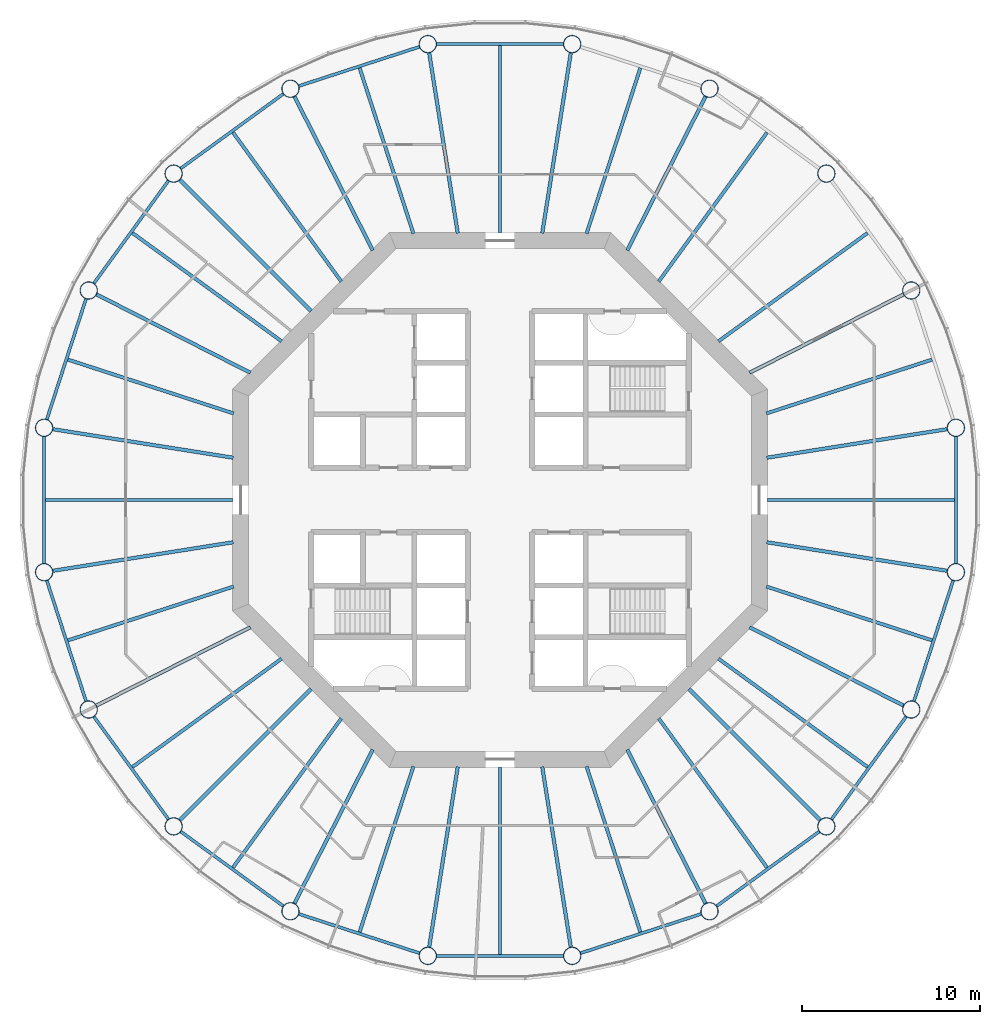
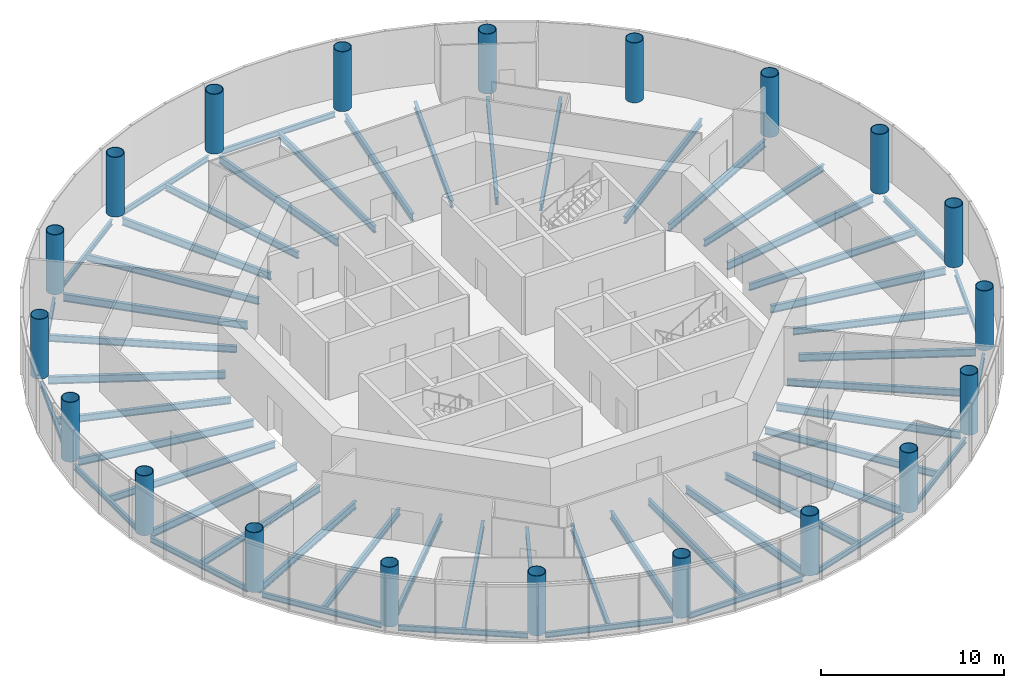
# One storey, part 1 of 12: 55 beams, 20 columns.
"""IFC4 building model written with IfcOpenShell, lengths in metres."""

from ifc_helpers import new_model, si_unit, direction, frame, origin, origin_2d, place, context, subcontext, project, spatial, circle, hollow_circle, i_section, extrude, material, material_profile, profile_set, type_object, element, save


model = new_model("IFC4")

# Units and contexts
model_context = context("Model", 3, precision=1e-05, world=origin(), true_north=direction((0.0, 1.0)))
body_context = subcontext(model_context, "Body", "Model", "MODEL_VIEW")
ifc_project = project(units=[si_unit("LENGTHUNIT", "METRE"), si_unit("AREAUNIT", "SQUARE_METRE"), si_unit("VOLUMEUNIT", "CUBIC_METRE"), si_unit("PLANEANGLEUNIT", "RADIAN"), si_unit("MASSUNIT", "GRAM", prefix="KILO")], contexts=[model_context])

# Site, building, storey
site_placement = place(None, origin())
site = spatial("IfcSite", under=ifc_project, at=site_placement, CompositionType="ELEMENT")
building_placement = place(site_placement, origin())
building = spatial("IfcBuilding", under=site, at=building_placement, Name="Entoto Ring Tower", CompositionType="ELEMENT")
storey_placement = place(building_placement, frame((0.0, 0.0, 254.0)))
storey = spatial("IfcBuildingStorey", under=building, at=storey_placement, Name="L58", CompositionType="ELEMENT", Elevation=254.0)

# Columns
ifc_material_1 = material(Name="Steel S355", Category="steel")
ifc_material_profile_1 = material_profile(ifc_material_1, hollow_circle(Radius=0.5, WallThickness=0.0400390625, at=origin_2d()), Name="CHS 1000 x 40")
ifc_material_2 = material(Name="Concrete C60/75", Category="concrete")
ifc_material_profile_2 = material_profile(ifc_material_2, circle(Radius=0.4599609375, at=origin_2d()), Name="Concrete C60/75 infill")
ifc_profile_set_1 = profile_set([ifc_material_profile_1, ifc_material_profile_2], Name="Steel S355")
column_type = type_object("IfcColumnType", Name="Ring column 1000 x 40 concrete-filled tube", PredefinedType="COLUMN", material=ifc_profile_set_1)
for number, where, z_axis, x_axis, name in (
    (1, (115.5810546875, 84.0517578125, 0.0), (0.0, 0.0, 1.0), (1.0, 0.0, 0.0), "RC4 R01"),
    (2, (113.0771484375, 91.75830078125, 0.0), (0.0, 0.0, 1.0), (1.0, 0.0, 0.0), "RC4 R02"),
    (3, (108.31396484375, 98.31396484375, 0.0), (0.0, 0.0, 1.0), (1.0, 0.0, 0.0), "RC4 R03"),
    (4, (101.75830078125, 103.0771484375, 0.0), (0.0, 0.0, 1.0), (1.0, 0.0, 0.0), "RC4 R04"),
    (5, (94.0517578125, 105.5810546875, 0.0), (0.0, 0.0, 1.0), (1.0, 0.0, 0.0), "RC4 R05"),
    (6, (85.9482421875, 105.5810546875, 0.0), (0.0, 0.0, 1.0), (1.0, 0.0, 0.0), "RC4 R06"),
    (7, (78.24169921875, 103.0771484375, 0.0), (0.0, 0.0, 1.0), (1.0, 0.0, 0.0), "RC4 R07"),
    (8, (71.68603515625, 98.31396484375, 0.0), (0.0, 0.0, 1.0), (1.0, 0.0, 0.0), "RC4 R08"),
    (9, (66.9228515625, 91.75830078125, 0.0), (0.0, 0.0, 1.0), (1.0, 0.0, 0.0), "RC4 R09"),
    (10, (64.4189453125, 84.0517578125, 0.0), (0.0, 0.0, 1.0), (1.0, 0.0, 0.0), "RC4 R10"),
    (11, (64.4189453125, 75.9482421875, 0.0), (0.0, 0.0, 1.0), (1.0, 0.0, 0.0), "RC4 R11"),
    (12, (66.9228515625, 68.24169921875, 0.0), (0.0, 0.0, 1.0), (1.0, 0.0, 0.0), "RC4 R12"),
    (13, (71.68603515625, 61.68603515625, 0.0), (0.0, 0.0, 1.0), (1.0, 0.0, 0.0), "RC4 R13"),
    (14, (78.24169921875, 56.9228515625, 0.0), (0.0, 0.0, 1.0), (1.0, 0.0, 0.0), "RC4 R14"),
    (15, (85.9482421875, 54.4189453125, 0.0), (0.0, 0.0, 1.0), (1.0, 0.0, 0.0), "RC4 R15"),
    (16, (94.0517578125, 54.4189453125, 0.0), (0.0, 0.0, 1.0), (1.0, 0.0, 0.0), "RC4 R16"),
    (17, (101.75830078125, 56.9228515625, 0.0), (0.0, 0.0, 1.0), (1.0, 0.0, 0.0), "RC4 R17"),
    (18, (108.31396484375, 61.68603515625, 0.0), (0.0, 0.0, 1.0), (1.0, 0.0, 0.0), "RC4 R18"),
    (19, (113.0771484375, 68.24169921875, 0.0), (0.0, 0.0, 1.0), (1.0, 0.0, 0.0), "RC4 R19"),
    (20, (115.5810546875, 75.9482421875, 0.0), (0.0, 0.0, 1.0), (1.0, 0.0, 0.0), "RC4 R20"),
):
    element("IfcColumn", number, at=place(storey_placement, frame(where, z_axis=z_axis, x_axis=x_axis)), inside=storey, type_object=column_type, Name=name, PredefinedType="COLUMN", context=body_context, shape_type="SweptSolid", body=[
        extrude(hollow_circle(Radius=0.5, WallThickness=0.0400390625, at=origin_2d()), origin(), (0.0, 0.0, 1.0), 4.0),
    ])

# Beams
ifc_material_3 = material(Name="Steel S355", Category="steel")
ifc_material_profile_3 = material_profile(ifc_material_3, i_section(OverallWidth=0.169921875, OverallDepth=0.360107421875, WebThickness=0.008056640625, FlangeThickness=0.0126953125, FilletRadius=0.01806640625, at=origin_2d()), Name="IPE 360")
ifc_profile_set_2 = profile_set([ifc_material_profile_3], Name="Steel S355")
beam_type_1 = type_object("IfcBeamType", Name="Edge beam IPE 360", PredefinedType="SPANDREL", material=ifc_profile_set_2)
beam_1_placement = place(storey_placement, frame((93.5791015625, 105.5810546875, -0.330078125), z_axis=(-1.0, 0.0, 0.0), x_axis=(0.0, -1.0, 0.0)))
element("IfcBeam", 21, at=beam_1_placement, inside=storey, type_object=beam_type_1, Name="Edge beam L58 05", PredefinedType="SPANDREL", context=body_context, shape_type="SweptSolid", body=[
    extrude(i_section(OverallWidth=0.169921875, OverallDepth=0.360107421875, WebThickness=0.008056640625, FlangeThickness=0.0126953125, FilletRadius=0.01806640625, at=origin_2d()), origin(), (0.0, 0.0, 1.0), 7.158203125),
])
beam_2_placement = place(storey_placement, frame((85.498779296875, 105.43505859375, -0.330078125), z_axis=(-0.951057125849, -0.309015118354, 0.0), x_axis=(0.309015118354, -0.951057125849, 0.0)))
element("IfcBeam", 22, at=beam_2_placement, inside=storey, type_object=beam_type_1, Name="Edge beam L58 06", PredefinedType="SPANDREL", context=body_context, shape_type="SweptSolid", body=[
    extrude(i_section(OverallWidth=0.169921875, OverallDepth=0.360107421875, WebThickness=0.008056640625, FlangeThickness=0.0126953125, FilletRadius=0.01806640625, at=origin_2d()), origin(), (0.0, 0.0, 1.0), 7.157958984375),
])
for number, where, z_axis, x_axis, name in (
    (23, (77.859375, 102.79931640625, -0.330078125), (-0.809010324619, -0.587794432314, 0.0), (0.587794432314, -0.809010324619, 0.0), "Edge beam L58 07"),
    (24, (71.408203125, 97.931640625, -0.330078125), (-0.587794432314, -0.809010324619, 0.0), (0.809010324619, -0.587794432314, 0.0), "Edge beam L58 08"),
):
    element("IfcBeam", number, at=place(storey_placement, frame(where, z_axis=z_axis, x_axis=x_axis)), inside=storey, type_object=beam_type_1, Name=name, PredefinedType="SPANDREL", context=body_context, shape_type="SweptSolid", body=[
        extrude(i_section(OverallWidth=0.169921875, OverallDepth=0.360107421875, WebThickness=0.008056640625, FlangeThickness=0.0126953125, FilletRadius=0.01806640625, at=origin_2d()), origin(), (0.0, 0.0, 1.0), 7.158203125),
    ])
beam_3_placement = place(storey_placement, frame((66.77685546875, 91.308837890625, -0.330078125), z_axis=(-0.309015118354, -0.951057125849, 0.0), x_axis=(0.951057125849, -0.309015118354, 0.0)))
element("IfcBeam", 25, at=beam_3_placement, inside=storey, type_object=beam_type_1, Name="Edge beam L58 09", PredefinedType="SPANDREL", context=body_context, shape_type="SweptSolid", body=[
    extrude(i_section(OverallWidth=0.169921875, OverallDepth=0.360107421875, WebThickness=0.008056640625, FlangeThickness=0.0126953125, FilletRadius=0.01806640625, at=origin_2d()), origin(), (0.0, 0.0, 1.0), 7.157958984375),
])
beam_4_placement = place(storey_placement, frame((64.4189453125, 83.5791015625, -0.330078125), z_axis=(0.0, -1.0, 0.0), x_axis=(1.0, 0.0, 0.0)))
element("IfcBeam", 26, at=beam_4_placement, inside=storey, type_object=beam_type_1, Name="Edge beam L58 10", PredefinedType="SPANDREL", context=body_context, shape_type="SweptSolid", body=[
    extrude(i_section(OverallWidth=0.169921875, OverallDepth=0.360107421875, WebThickness=0.008056640625, FlangeThickness=0.0126953125, FilletRadius=0.01806640625, at=origin_2d()), origin(), (0.0, 0.0, 1.0), 7.158203125),
])
beam_5_placement = place(storey_placement, frame((64.56494140625, 75.498779296875, -0.330078125), z_axis=(0.309015118354, -0.951057125849, 0.0), x_axis=(0.951057125849, 0.309015118354, 0.0)))
element("IfcBeam", 27, at=beam_5_placement, inside=storey, type_object=beam_type_1, Name="Edge beam L58 11", PredefinedType="SPANDREL", context=body_context, shape_type="SweptSolid", body=[
    extrude(i_section(OverallWidth=0.169921875, OverallDepth=0.360107421875, WebThickness=0.008056640625, FlangeThickness=0.0126953125, FilletRadius=0.01806640625, at=origin_2d()), origin(), (0.0, 0.0, 1.0), 7.157958984375),
])
for number, where, z_axis, x_axis, name in (
    (28, (67.20068359375, 67.859375, -0.330078125), (0.587794432314, -0.809010324619, 0.0), (0.809010324619, 0.587794432314, 0.0), "Edge beam L58 12"),
    (29, (72.068359375, 61.408203125, -0.330078125), (0.809010324619, -0.587794432314, 0.0), (0.587794432314, 0.809010324619, 0.0), "Edge beam L58 13"),
):
    element("IfcBeam", number, at=place(storey_placement, frame(where, z_axis=z_axis, x_axis=x_axis)), inside=storey, type_object=beam_type_1, Name=name, PredefinedType="SPANDREL", context=body_context, shape_type="SweptSolid", body=[
        extrude(i_section(OverallWidth=0.169921875, OverallDepth=0.360107421875, WebThickness=0.008056640625, FlangeThickness=0.0126953125, FilletRadius=0.01806640625, at=origin_2d()), origin(), (0.0, 0.0, 1.0), 7.158203125),
    ])
beam_6_placement = place(storey_placement, frame((78.691162109375, 56.77685546875, -0.330078125), z_axis=(0.951057125849, -0.309015118354, 0.0), x_axis=(0.309015118354, 0.951057125849, 0.0)))
element("IfcBeam", 30, at=beam_6_placement, inside=storey, type_object=beam_type_1, Name="Edge beam L58 14", PredefinedType="SPANDREL", context=body_context, shape_type="SweptSolid", body=[
    extrude(i_section(OverallWidth=0.169921875, OverallDepth=0.360107421875, WebThickness=0.008056640625, FlangeThickness=0.0126953125, FilletRadius=0.01806640625, at=origin_2d()), origin(), (0.0, 0.0, 1.0), 7.157958984375),
])
beam_7_placement = place(storey_placement, frame((86.4208984375, 54.4189453125, -0.330078125), z_axis=(1.0, 0.0, 0.0), x_axis=(0.0, 1.0, 0.0)))
element("IfcBeam", 31, at=beam_7_placement, inside=storey, type_object=beam_type_1, Name="Edge beam L58 15", PredefinedType="SPANDREL", context=body_context, shape_type="SweptSolid", body=[
    extrude(i_section(OverallWidth=0.169921875, OverallDepth=0.360107421875, WebThickness=0.008056640625, FlangeThickness=0.0126953125, FilletRadius=0.01806640625, at=origin_2d()), origin(), (0.0, 0.0, 1.0), 7.158203125),
])
beam_8_placement = place(storey_placement, frame((94.501220703125, 54.56494140625, -0.330078125), z_axis=(0.951057125849, 0.309015118354, 0.0), x_axis=(-0.309015118354, 0.951057125849, 0.0)))
element("IfcBeam", 32, at=beam_8_placement, inside=storey, type_object=beam_type_1, Name="Edge beam L58 16", PredefinedType="SPANDREL", context=body_context, shape_type="SweptSolid", body=[
    extrude(i_section(OverallWidth=0.169921875, OverallDepth=0.360107421875, WebThickness=0.008056640625, FlangeThickness=0.0126953125, FilletRadius=0.01806640625, at=origin_2d()), origin(), (0.0, 0.0, 1.0), 7.157958984375),
])
for number, where, z_axis, x_axis, name in (
    (33, (102.140625, 57.20068359375, -0.330078125), (0.809010324619, 0.587794432314, 0.0), (-0.587794432314, 0.809010324619, 0.0), "Edge beam L58 17"),
    (34, (108.591796875, 62.068359375, -0.330078125), (0.587794432314, 0.809010324619, 0.0), (-0.809010324619, 0.587794432314, 0.0), "Edge beam L58 18"),
):
    element("IfcBeam", number, at=place(storey_placement, frame(where, z_axis=z_axis, x_axis=x_axis)), inside=storey, type_object=beam_type_1, Name=name, PredefinedType="SPANDREL", context=body_context, shape_type="SweptSolid", body=[
        extrude(i_section(OverallWidth=0.169921875, OverallDepth=0.360107421875, WebThickness=0.008056640625, FlangeThickness=0.0126953125, FilletRadius=0.01806640625, at=origin_2d()), origin(), (0.0, 0.0, 1.0), 7.158203125),
    ])
beam_9_placement = place(storey_placement, frame((113.22314453125, 68.691162109375, -0.330078125), z_axis=(0.309015118354, 0.951057125849, 0.0), x_axis=(-0.951057125849, 0.309015118354, 0.0)))
element("IfcBeam", 35, at=beam_9_placement, inside=storey, type_object=beam_type_1, Name="Edge beam L58 19", PredefinedType="SPANDREL", context=body_context, shape_type="SweptSolid", body=[
    extrude(i_section(OverallWidth=0.169921875, OverallDepth=0.360107421875, WebThickness=0.008056640625, FlangeThickness=0.0126953125, FilletRadius=0.01806640625, at=origin_2d()), origin(), (0.0, 0.0, 1.0), 7.157958984375),
])
beam_10_placement = place(storey_placement, frame((115.5810546875, 76.4208984375, -0.330078125), z_axis=(0.0, 1.0, 0.0), x_axis=(-1.0, 0.0, 0.0)))
element("IfcBeam", 36, at=beam_10_placement, inside=storey, type_object=beam_type_1, Name="Edge beam L58 20", PredefinedType="SPANDREL", context=body_context, shape_type="SweptSolid", body=[
    extrude(i_section(OverallWidth=0.169921875, OverallDepth=0.360107421875, WebThickness=0.008056640625, FlangeThickness=0.0126953125, FilletRadius=0.01806640625, at=origin_2d()), origin(), (0.0, 0.0, 1.0), 7.158203125),
])
ifc_material_4 = material(Name="Steel S355", Category="steel")
ifc_material_profile_4 = material_profile(ifc_material_4, i_section(OverallWidth=0.199951171875, OverallDepth=0.5, WebThickness=0.01025390625, FlangeThickness=0.01611328125, FilletRadius=0.02099609375, at=origin_2d()), Name="IPE 500")
ifc_profile_set_3 = profile_set([ifc_material_profile_4], Name="Steel S355")
beam_type_2 = type_object("IfcBeamType", Name="Primary floor beam IPE 500", PredefinedType="BEAM", material=ifc_profile_set_3)
beam_11_placement = place(storey_placement, frame((104.964599609375, 82.3701171875, -0.39990234375), z_axis=(0.987685619518, 0.156451644281, 0.0), x_axis=(-0.156451644281, 0.987685619518, 0.0)))
element("IfcBeam", 37, at=beam_11_placement, inside=storey, type_object=beam_type_2, Name="Primary L58 R01", PredefinedType="BEAM", context=body_context, shape_type="SweptSolid", body=[
    extrude(i_section(OverallWidth=0.199951171875, OverallDepth=0.5, WebThickness=0.01025390625, FlangeThickness=0.01611328125, FilletRadius=0.02099609375, at=origin_2d()), origin(), (0.0, 0.0, 1.0), 10.27880859375),
])
for number, where, z_axis, x_axis, name in (
    (38, (104.006103515625, 87.136474609375, -0.39990234375), (0.891012442297, 0.45397888461, 0.0), (-0.45397888461, 0.891012442297, 0.0), "Primary L58 R02"),
    (39, (97.136474609375, 94.006103515625, -0.39990234375), (0.45397888461, 0.891012442297, 0.0), (-0.891012442297, 0.45397888461, 0.0), "Primary L58 R04"),
):
    element("IfcBeam", number, at=place(storey_placement, frame(where, z_axis=z_axis, x_axis=x_axis)), inside=storey, type_object=beam_type_2, Name=name, PredefinedType="BEAM", context=body_context, shape_type="SweptSolid", body=[
        extrude(i_section(OverallWidth=0.199951171875, OverallDepth=0.5, WebThickness=0.01025390625, FlangeThickness=0.01611328125, FilletRadius=0.02099609375, at=origin_2d()), origin(), (0.0, 0.0, 1.0), 9.710693359375),
    ])
for number, where, z_axis, x_axis, name in (
    (40, (92.3701171875, 94.964599609375, -0.39990234375), (0.156451644281, 0.987685619518, 0.0), (-0.987685619518, 0.156451644281, 0.0), "Primary L58 R05"),
    (41, (87.6298828125, 94.964599609375, -0.39990234375), (-0.156451644281, 0.987685619518, 0.0), (-0.987685619518, -0.156451644281, 0.0), "Primary L58 R06"),
):
    element("IfcBeam", number, at=place(storey_placement, frame(where, z_axis=z_axis, x_axis=x_axis)), inside=storey, type_object=beam_type_2, Name=name, PredefinedType="BEAM", context=body_context, shape_type="SweptSolid", body=[
        extrude(i_section(OverallWidth=0.199951171875, OverallDepth=0.5, WebThickness=0.01025390625, FlangeThickness=0.01611328125, FilletRadius=0.02099609375, at=origin_2d()), origin(), (0.0, 0.0, 1.0), 10.27880859375),
    ])
beam_12_placement = place(storey_placement, frame((82.863525390625, 94.006103515625, -0.39990234375), z_axis=(-0.45397888461, 0.891012442297, 0.0), x_axis=(-0.891012442297, -0.45397888461, 0.0)))
element("IfcBeam", 42, at=beam_12_placement, inside=storey, type_object=beam_type_2, Name="Primary L58 R07", PredefinedType="BEAM", context=body_context, shape_type="SweptSolid", body=[
    extrude(i_section(OverallWidth=0.199951171875, OverallDepth=0.5, WebThickness=0.01025390625, FlangeThickness=0.01611328125, FilletRadius=0.02099609375, at=origin_2d()), origin(), (0.0, 0.0, 1.0), 9.710693359375),
])
beam_13_placement = place(storey_placement, frame((79.407470703125, 90.592529296875, -0.39990234375), z_axis=(-0.707106781187, 0.707106781187, 0.0), x_axis=(-0.707106781187, -0.707106781187, 0.0)))
element("IfcBeam", 43, at=beam_13_placement, inside=storey, type_object=beam_type_2, Name="Primary L58 R08", PredefinedType="BEAM", context=body_context, shape_type="SweptSolid", body=[
    extrude(i_section(OverallWidth=0.199951171875, OverallDepth=0.5, WebThickness=0.01025390625, FlangeThickness=0.01611328125, FilletRadius=0.02099609375, at=origin_2d()), origin(), (0.0, 0.0, 1.0), 10.4501953125),
])
beam_14_placement = place(storey_placement, frame((75.993896484375, 87.136474609375, -0.39990234375), z_axis=(-0.891012442297, 0.45397888461, 0.0), x_axis=(-0.45397888461, -0.891012442297, 0.0)))
element("IfcBeam", 44, at=beam_14_placement, inside=storey, type_object=beam_type_2, Name="Primary L58 R09", PredefinedType="BEAM", context=body_context, shape_type="SweptSolid", body=[
    extrude(i_section(OverallWidth=0.199951171875, OverallDepth=0.5, WebThickness=0.01025390625, FlangeThickness=0.01611328125, FilletRadius=0.02099609375, at=origin_2d()), origin(), (0.0, 0.0, 1.0), 9.710693359375),
])
for number, where, z_axis, x_axis, name in (
    (45, (75.035400390625, 82.3701171875, -0.39990234375), (-0.987685619518, 0.156451644281, 0.0), (-0.156451644281, -0.987685619518, 0.0), "Primary L58 R10"),
    (46, (75.035400390625, 77.6298828125, -0.39990234375), (-0.987685619518, -0.156451644281, 0.0), (0.156451644281, -0.987685619518, 0.0), "Primary L58 R11"),
):
    element("IfcBeam", number, at=place(storey_placement, frame(where, z_axis=z_axis, x_axis=x_axis)), inside=storey, type_object=beam_type_2, Name=name, PredefinedType="BEAM", context=body_context, shape_type="SweptSolid", body=[
        extrude(i_section(OverallWidth=0.199951171875, OverallDepth=0.5, WebThickness=0.01025390625, FlangeThickness=0.01611328125, FilletRadius=0.02099609375, at=origin_2d()), origin(), (0.0, 0.0, 1.0), 10.27880859375),
    ])
beam_15_placement = place(storey_placement, frame((75.993896484375, 72.863525390625, -0.39990234375), z_axis=(-0.891012442297, -0.45397888461, 0.0), x_axis=(0.45397888461, -0.891012442297, 0.0)))
element("IfcBeam", 47, at=beam_15_placement, inside=storey, type_object=beam_type_2, Name="Primary L58 R12", PredefinedType="BEAM", context=body_context, shape_type="SweptSolid", body=[
    extrude(i_section(OverallWidth=0.199951171875, OverallDepth=0.5, WebThickness=0.01025390625, FlangeThickness=0.01611328125, FilletRadius=0.02099609375, at=origin_2d()), origin(), (0.0, 0.0, 1.0), 9.710693359375),
])
beam_16_placement = place(storey_placement, frame((79.407470703125, 69.407470703125, -0.39990234375), z_axis=(-0.707106781187, -0.707106781187, 0.0), x_axis=(0.707106781187, -0.707106781187, 0.0)))
element("IfcBeam", 48, at=beam_16_placement, inside=storey, type_object=beam_type_2, Name="Primary L58 R13", PredefinedType="BEAM", context=body_context, shape_type="SweptSolid", body=[
    extrude(i_section(OverallWidth=0.199951171875, OverallDepth=0.5, WebThickness=0.01025390625, FlangeThickness=0.01611328125, FilletRadius=0.02099609375, at=origin_2d()), origin(), (0.0, 0.0, 1.0), 10.4501953125),
])
beam_17_placement = place(storey_placement, frame((82.863525390625, 65.993896484375, -0.39990234375), z_axis=(-0.45397888461, -0.891012442297, 0.0), x_axis=(0.891012442297, -0.45397888461, 0.0)))
element("IfcBeam", 49, at=beam_17_placement, inside=storey, type_object=beam_type_2, Name="Primary L58 R14", PredefinedType="BEAM", context=body_context, shape_type="SweptSolid", body=[
    extrude(i_section(OverallWidth=0.199951171875, OverallDepth=0.5, WebThickness=0.01025390625, FlangeThickness=0.01611328125, FilletRadius=0.02099609375, at=origin_2d()), origin(), (0.0, 0.0, 1.0), 9.710693359375),
])
for number, where, z_axis, x_axis, name in (
    (50, (87.6298828125, 65.035400390625, -0.39990234375), (-0.156451644281, -0.987685619518, 0.0), (0.987685619518, -0.156451644281, 0.0), "Primary L58 R15"),
    (51, (92.3701171875, 65.035400390625, -0.39990234375), (0.156451644281, -0.987685619518, 0.0), (0.987685619518, 0.156451644281, 0.0), "Primary L58 R16"),
):
    element("IfcBeam", number, at=place(storey_placement, frame(where, z_axis=z_axis, x_axis=x_axis)), inside=storey, type_object=beam_type_2, Name=name, PredefinedType="BEAM", context=body_context, shape_type="SweptSolid", body=[
        extrude(i_section(OverallWidth=0.199951171875, OverallDepth=0.5, WebThickness=0.01025390625, FlangeThickness=0.01611328125, FilletRadius=0.02099609375, at=origin_2d()), origin(), (0.0, 0.0, 1.0), 10.27880859375),
    ])
beam_18_placement = place(storey_placement, frame((97.136474609375, 65.993896484375, -0.39990234375), z_axis=(0.45397888461, -0.891012442297, 0.0), x_axis=(0.891012442297, 0.45397888461, 0.0)))
element("IfcBeam", 52, at=beam_18_placement, inside=storey, type_object=beam_type_2, Name="Primary L58 R17", PredefinedType="BEAM", context=body_context, shape_type="SweptSolid", body=[
    extrude(i_section(OverallWidth=0.199951171875, OverallDepth=0.5, WebThickness=0.01025390625, FlangeThickness=0.01611328125, FilletRadius=0.02099609375, at=origin_2d()), origin(), (0.0, 0.0, 1.0), 9.710693359375),
])
beam_19_placement = place(storey_placement, frame((100.592529296875, 69.407470703125, -0.39990234375), z_axis=(0.707106781187, -0.707106781187, 0.0), x_axis=(0.707106781187, 0.707106781187, 0.0)))
element("IfcBeam", 53, at=beam_19_placement, inside=storey, type_object=beam_type_2, Name="Primary L58 R18", PredefinedType="BEAM", context=body_context, shape_type="SweptSolid", body=[
    extrude(i_section(OverallWidth=0.199951171875, OverallDepth=0.5, WebThickness=0.01025390625, FlangeThickness=0.01611328125, FilletRadius=0.02099609375, at=origin_2d()), origin(), (0.0, 0.0, 1.0), 10.4501953125),
])
beam_20_placement = place(storey_placement, frame((104.006103515625, 72.863525390625, -0.39990234375), z_axis=(0.891012442297, -0.45397888461, 0.0), x_axis=(0.45397888461, 0.891012442297, 0.0)))
element("IfcBeam", 54, at=beam_20_placement, inside=storey, type_object=beam_type_2, Name="Primary L58 R19", PredefinedType="BEAM", context=body_context, shape_type="SweptSolid", body=[
    extrude(i_section(OverallWidth=0.199951171875, OverallDepth=0.5, WebThickness=0.01025390625, FlangeThickness=0.01611328125, FilletRadius=0.02099609375, at=origin_2d()), origin(), (0.0, 0.0, 1.0), 9.710693359375),
])
beam_21_placement = place(storey_placement, frame((104.964599609375, 77.6298828125, -0.39990234375), z_axis=(0.987685619518, -0.156451644281, 0.0), x_axis=(0.156451644281, 0.987685619518, 0.0)))
element("IfcBeam", 55, at=beam_21_placement, inside=storey, type_object=beam_type_2, Name="Primary L58 R20", PredefinedType="BEAM", context=body_context, shape_type="SweptSolid", body=[
    extrude(i_section(OverallWidth=0.199951171875, OverallDepth=0.5, WebThickness=0.01025390625, FlangeThickness=0.01611328125, FilletRadius=0.02099609375, at=origin_2d()), origin(), (0.0, 0.0, 1.0), 10.27880859375),
])
ifc_material_5 = material(Name="Steel S355", Category="steel")
ifc_material_profile_5 = material_profile(ifc_material_5, i_section(OverallWidth=0.18994140625, OverallDepth=0.449951171875, WebThickness=0.009521484375, FlangeThickness=0.0146484375, FilletRadius=0.02099609375, at=origin_2d()), Name="IPE 450")
ifc_profile_set_4 = profile_set([ifc_material_profile_5], Name="Steel S355")
beam_type_3 = type_object("IfcBeamType", Name="Secondary floor beam IPE 450", PredefinedType="JOIST", material=ifc_profile_set_4)
beam_22_placement = place(storey_placement, frame((104.95166015625, 84.858154296875, -0.375), z_axis=(0.951061045963, 0.309003053144, 0.0), x_axis=(-0.309003053144, 0.951061045963, 0.0)))
element("IfcBeam", 56, at=beam_22_placement, inside=storey, type_object=beam_type_3, Name="Secondary beam L58 01", PredefinedType="JOIST", context=body_context, shape_type="SweptSolid", body=[
    extrude(i_section(OverallWidth=0.18994140625, OverallDepth=0.449951171875, WebThickness=0.009521484375, FlangeThickness=0.0146484375, FilletRadius=0.02099609375, at=origin_2d()), origin(), (0.0, 0.0, 1.0), 9.77490234375),
])
for number, where, z_axis, x_axis, name in (
    (57, (102.258056640625, 88.906005859375, -0.375), (0.809010538485, 0.58779413796, 0.0), (-0.58779413796, 0.809010538485, 0.0), "Secondary beam L58 02"),
    (58, (98.906005859375, 92.258056640625, -0.375), (0.58779413796, 0.809010538485, 0.0), (-0.809010538485, 0.58779413796, 0.0), "Secondary beam L58 03"),
):
    element("IfcBeam", number, at=place(storey_placement, frame(where, z_axis=z_axis, x_axis=x_axis)), inside=storey, type_object=beam_type_3, Name=name, PredefinedType="JOIST", context=body_context, shape_type="SweptSolid", body=[
        extrude(i_section(OverallWidth=0.18994140625, OverallDepth=0.449951171875, WebThickness=0.009521484375, FlangeThickness=0.0146484375, FilletRadius=0.02099609375, at=origin_2d()), origin(), (0.0, 0.0, 1.0), 10.34423828125),
    ])
beam_23_placement = place(storey_placement, frame((94.858154296875, 94.95166015625, -0.375), z_axis=(0.309003053144, 0.951061045963, 0.0), x_axis=(-0.951061045963, 0.309003053144, 0.0)))
element("IfcBeam", 59, at=beam_23_placement, inside=storey, type_object=beam_type_3, Name="Secondary beam L58 04", PredefinedType="JOIST", context=body_context, shape_type="SweptSolid", body=[
    extrude(i_section(OverallWidth=0.18994140625, OverallDepth=0.449951171875, WebThickness=0.009521484375, FlangeThickness=0.0146484375, FilletRadius=0.02099609375, at=origin_2d()), origin(), (0.0, 0.0, 1.0), 9.77490234375),
])
beam_24_placement = place(storey_placement, frame((90.0, 94.97998046875, -0.375), z_axis=(0.0, 1.0, 0.0), x_axis=(-1.0, 0.0, 0.0)))
element("IfcBeam", 60, at=beam_24_placement, inside=storey, type_object=beam_type_3, Name="Secondary beam L58 05", PredefinedType="JOIST", context=body_context, shape_type="SweptSolid", body=[
    extrude(i_section(OverallWidth=0.18994140625, OverallDepth=0.449951171875, WebThickness=0.009521484375, FlangeThickness=0.0146484375, FilletRadius=0.02099609375, at=origin_2d()), origin(), (0.0, 0.0, 1.0), 10.51611328125),
])
beam_25_placement = place(storey_placement, frame((85.141845703125, 94.95166015625, -0.375), z_axis=(-0.309003053144, 0.951061045963, 0.0), x_axis=(-0.951061045963, -0.309003053144, 0.0)))
element("IfcBeam", 61, at=beam_25_placement, inside=storey, type_object=beam_type_3, Name="Secondary beam L58 06", PredefinedType="JOIST", context=body_context, shape_type="SweptSolid", body=[
    extrude(i_section(OverallWidth=0.18994140625, OverallDepth=0.449951171875, WebThickness=0.009521484375, FlangeThickness=0.0146484375, FilletRadius=0.02099609375, at=origin_2d()), origin(), (0.0, 0.0, 1.0), 9.77490234375),
])
for number, where, z_axis, x_axis, name in (
    (62, (81.093994140625, 92.258056640625, -0.375), (-0.58779413796, 0.809010538485, 0.0), (-0.809010538485, -0.58779413796, 0.0), "Secondary beam L58 07"),
    (63, (77.741943359375, 88.906005859375, -0.375), (-0.809010538485, 0.58779413796, 0.0), (-0.58779413796, -0.809010538485, 0.0), "Secondary beam L58 08"),
):
    element("IfcBeam", number, at=place(storey_placement, frame(where, z_axis=z_axis, x_axis=x_axis)), inside=storey, type_object=beam_type_3, Name=name, PredefinedType="JOIST", context=body_context, shape_type="SweptSolid", body=[
        extrude(i_section(OverallWidth=0.18994140625, OverallDepth=0.449951171875, WebThickness=0.009521484375, FlangeThickness=0.0146484375, FilletRadius=0.02099609375, at=origin_2d()), origin(), (0.0, 0.0, 1.0), 10.34423828125),
    ])
beam_26_placement = place(storey_placement, frame((75.04833984375, 84.858154296875, -0.375), z_axis=(-0.951061045963, 0.309003053144, 0.0), x_axis=(-0.309003053144, -0.951061045963, 0.0)))
element("IfcBeam", 64, at=beam_26_placement, inside=storey, type_object=beam_type_3, Name="Secondary beam L58 09", PredefinedType="JOIST", context=body_context, shape_type="SweptSolid", body=[
    extrude(i_section(OverallWidth=0.18994140625, OverallDepth=0.449951171875, WebThickness=0.009521484375, FlangeThickness=0.0146484375, FilletRadius=0.02099609375, at=origin_2d()), origin(), (0.0, 0.0, 1.0), 9.77490234375),
])
beam_27_placement = place(storey_placement, frame((75.02001953125, 80.0, -0.375), z_axis=(-1.0, 0.0, 0.0), x_axis=(0.0, -1.0, 0.0)))
element("IfcBeam", 65, at=beam_27_placement, inside=storey, type_object=beam_type_3, Name="Secondary beam L58 10", PredefinedType="JOIST", context=body_context, shape_type="SweptSolid", body=[
    extrude(i_section(OverallWidth=0.18994140625, OverallDepth=0.449951171875, WebThickness=0.009521484375, FlangeThickness=0.0146484375, FilletRadius=0.02099609375, at=origin_2d()), origin(), (0.0, 0.0, 1.0), 10.51611328125),
])
beam_28_placement = place(storey_placement, frame((75.04833984375, 75.141845703125, -0.375), z_axis=(-0.951061045963, -0.309003053144, 0.0), x_axis=(0.309003053144, -0.951061045963, 0.0)))
element("IfcBeam", 66, at=beam_28_placement, inside=storey, type_object=beam_type_3, Name="Secondary beam L58 11", PredefinedType="JOIST", context=body_context, shape_type="SweptSolid", body=[
    extrude(i_section(OverallWidth=0.18994140625, OverallDepth=0.449951171875, WebThickness=0.009521484375, FlangeThickness=0.0146484375, FilletRadius=0.02099609375, at=origin_2d()), origin(), (0.0, 0.0, 1.0), 9.77490234375),
])
for number, where, z_axis, x_axis, name in (
    (67, (77.741943359375, 71.093994140625, -0.375), (-0.809010538485, -0.58779413796, 0.0), (0.58779413796, -0.809010538485, 0.0), "Secondary beam L58 12"),
    (68, (81.093994140625, 67.741943359375, -0.375), (-0.58779413796, -0.809010538485, 0.0), (0.809010538485, -0.58779413796, 0.0), "Secondary beam L58 13"),
):
    element("IfcBeam", number, at=place(storey_placement, frame(where, z_axis=z_axis, x_axis=x_axis)), inside=storey, type_object=beam_type_3, Name=name, PredefinedType="JOIST", context=body_context, shape_type="SweptSolid", body=[
        extrude(i_section(OverallWidth=0.18994140625, OverallDepth=0.449951171875, WebThickness=0.009521484375, FlangeThickness=0.0146484375, FilletRadius=0.02099609375, at=origin_2d()), origin(), (0.0, 0.0, 1.0), 10.34423828125),
    ])
beam_29_placement = place(storey_placement, frame((85.141845703125, 65.04833984375, -0.375), z_axis=(-0.309003053144, -0.951061045963, 0.0), x_axis=(0.951061045963, -0.309003053144, 0.0)))
element("IfcBeam", 69, at=beam_29_placement, inside=storey, type_object=beam_type_3, Name="Secondary beam L58 14", PredefinedType="JOIST", context=body_context, shape_type="SweptSolid", body=[
    extrude(i_section(OverallWidth=0.18994140625, OverallDepth=0.449951171875, WebThickness=0.009521484375, FlangeThickness=0.0146484375, FilletRadius=0.02099609375, at=origin_2d()), origin(), (0.0, 0.0, 1.0), 9.77490234375),
])
beam_30_placement = place(storey_placement, frame((90.0, 65.02001953125, -0.375), z_axis=(0.0, -1.0, 0.0), x_axis=(1.0, 0.0, 0.0)))
element("IfcBeam", 70, at=beam_30_placement, inside=storey, type_object=beam_type_3, Name="Secondary beam L58 15", PredefinedType="JOIST", context=body_context, shape_type="SweptSolid", body=[
    extrude(i_section(OverallWidth=0.18994140625, OverallDepth=0.449951171875, WebThickness=0.009521484375, FlangeThickness=0.0146484375, FilletRadius=0.02099609375, at=origin_2d()), origin(), (0.0, 0.0, 1.0), 10.51611328125),
])
beam_31_placement = place(storey_placement, frame((94.858154296875, 65.04833984375, -0.375), z_axis=(0.309003053144, -0.951061045963, 0.0), x_axis=(0.951061045963, 0.309003053144, 0.0)))
element("IfcBeam", 71, at=beam_31_placement, inside=storey, type_object=beam_type_3, Name="Secondary beam L58 16", PredefinedType="JOIST", context=body_context, shape_type="SweptSolid", body=[
    extrude(i_section(OverallWidth=0.18994140625, OverallDepth=0.449951171875, WebThickness=0.009521484375, FlangeThickness=0.0146484375, FilletRadius=0.02099609375, at=origin_2d()), origin(), (0.0, 0.0, 1.0), 9.77490234375),
])
for number, where, z_axis, x_axis, name in (
    (72, (98.906005859375, 67.741943359375, -0.375), (0.58779413796, -0.809010538485, 0.0), (0.809010538485, 0.58779413796, 0.0), "Secondary beam L58 17"),
    (73, (102.258056640625, 71.093994140625, -0.375), (0.809010538485, -0.58779413796, 0.0), (0.58779413796, 0.809010538485, 0.0), "Secondary beam L58 18"),
):
    element("IfcBeam", number, at=place(storey_placement, frame(where, z_axis=z_axis, x_axis=x_axis)), inside=storey, type_object=beam_type_3, Name=name, PredefinedType="JOIST", context=body_context, shape_type="SweptSolid", body=[
        extrude(i_section(OverallWidth=0.18994140625, OverallDepth=0.449951171875, WebThickness=0.009521484375, FlangeThickness=0.0146484375, FilletRadius=0.02099609375, at=origin_2d()), origin(), (0.0, 0.0, 1.0), 10.34423828125),
    ])
beam_32_placement = place(storey_placement, frame((104.95166015625, 75.141845703125, -0.375), z_axis=(0.951061045963, -0.309003053144, 0.0), x_axis=(0.309003053144, 0.951061045963, 0.0)))
element("IfcBeam", 74, at=beam_32_placement, inside=storey, type_object=beam_type_3, Name="Secondary beam L58 19", PredefinedType="JOIST", context=body_context, shape_type="SweptSolid", body=[
    extrude(i_section(OverallWidth=0.18994140625, OverallDepth=0.449951171875, WebThickness=0.009521484375, FlangeThickness=0.0146484375, FilletRadius=0.02099609375, at=origin_2d()), origin(), (0.0, 0.0, 1.0), 9.77490234375),
])
beam_33_placement = place(storey_placement, frame((104.97998046875, 80.0, -0.375), z_axis=(1.0, 0.0, 0.0), x_axis=(0.0, 1.0, 0.0)))
element("IfcBeam", 75, at=beam_33_placement, inside=storey, type_object=beam_type_3, Name="Secondary beam L58 20", PredefinedType="JOIST", context=body_context, shape_type="SweptSolid", body=[
    extrude(i_section(OverallWidth=0.18994140625, OverallDepth=0.449951171875, WebThickness=0.009521484375, FlangeThickness=0.0146484375, FilletRadius=0.02099609375, at=origin_2d()), origin(), (0.0, 0.0, 1.0), 10.51611328125),
])

save(model, "model.ifc")
